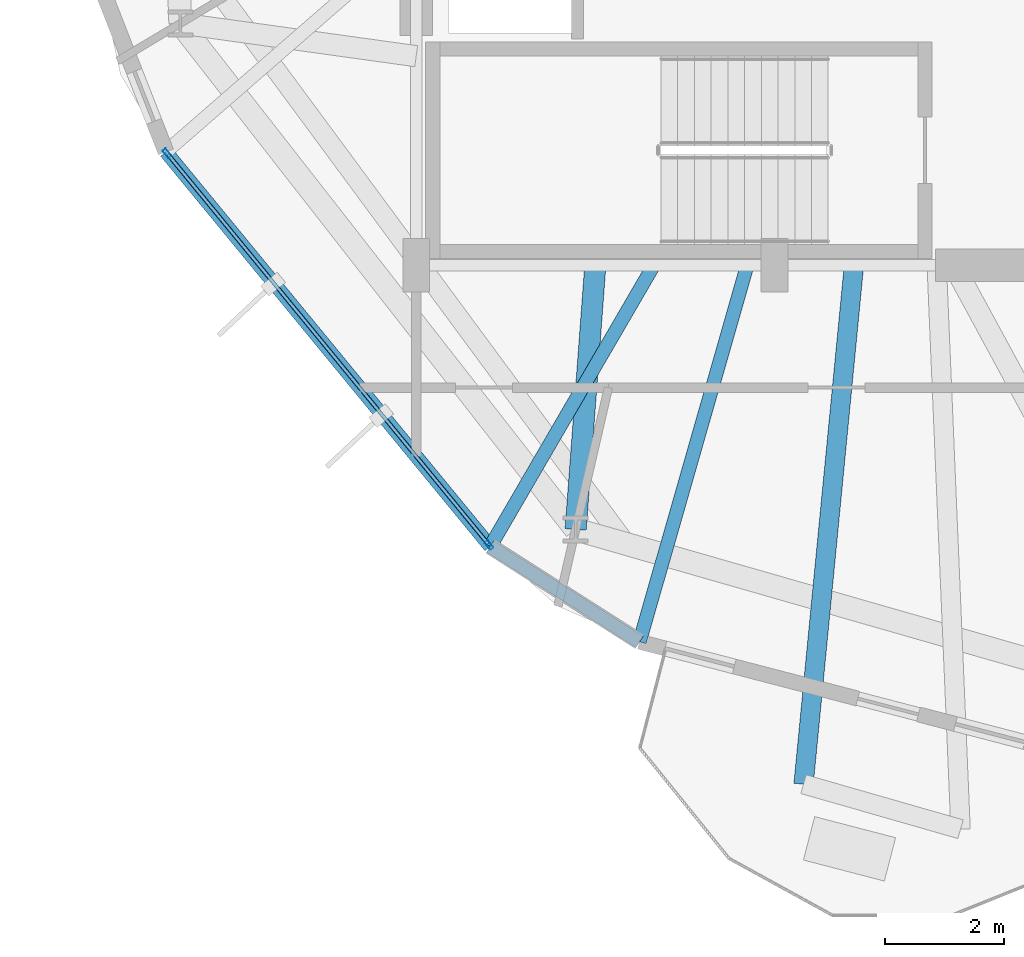
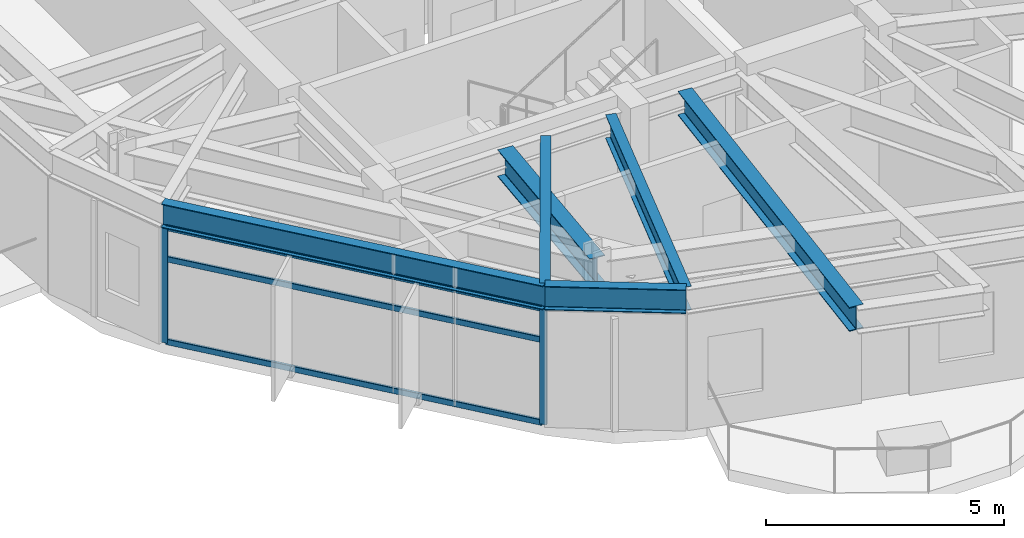
# One storey, part 2 of 22: 6 beams, 5 members, 1 element without a shape of its own.
"""IFC4 building model written with IfcOpenShell, lengths in metres."""

from ifc_helpers import new_model, si_unit, direction, frame, origin, origin_2d, place, context, subcontext, project, spatial, hollow_rectangle, i_section, extrude, material, layer, layer_set, material_profile, profile_set, type_object, element, aggregate, save


model = new_model("IFC4")

# Units and contexts
model_context = context("Model", 3, precision=1e-05, world=origin(), true_north=direction((0.0, 1.0)))
body_context = subcontext(model_context, "Body", "Model", "MODEL_VIEW")
ifc_project = project(units=[si_unit("LENGTHUNIT", "METRE"), si_unit("AREAUNIT", "SQUARE_METRE"), si_unit("VOLUMEUNIT", "CUBIC_METRE"), si_unit("PLANEANGLEUNIT", "RADIAN"), si_unit("MASSUNIT", "GRAM", prefix="KILO")], contexts=[model_context])

# Site, building, storey
site_placement = place(None, origin())
site = spatial("IfcSite", under=ifc_project, at=site_placement, CompositionType="ELEMENT")
building_placement = place(site_placement, origin())
building = spatial("IfcBuilding", under=site, at=building_placement, Name="Soratama Intermodal Tower", CompositionType="ELEMENT")
storey_placement = place(building_placement, frame((0.0, 0.0, 110.800048828125)))
storey = spatial("IfcBuildingStorey", under=building, at=storey_placement, Name="L26", CompositionType="ELEMENT", Elevation=110.800048828125)

# Beams
ifc_material_1 = material(Name="Structural steel ASTM A992 Grade 50", Category="steel")
ifc_material_profile_1 = material_profile(ifc_material_1, i_section(OverallWidth=0.324951171875, OverallDepth=0.615966796875, WebThickness=0.013916015625, FlangeThickness=0.021484375, FilletRadius=0.013916015625, at=origin_2d()), Name="W24X117")
ifc_profile_set_1 = profile_set([ifc_material_profile_1], Name="Structural steel ASTM A992 Grade 50")
beam_type_1 = type_object("IfcBeamType", Name="BM-CANT-W24X117", PredefinedType="BEAM", material=ifc_profile_set_1)
beam_1_placement = place(storey_placement, frame((39.927978515625, 14.9599609375, 3.2919921875), z_axis=(-0.096766747006, -0.995307086619, 0.0), x_axis=(0.995307086619, -0.096766747006, 0.0)))
element("IfcBeam", 1, at=beam_1_placement, inside=storey, type_object=beam_type_1, Name="BM-L26-CANT-3-1", PredefinedType="BEAM", context=body_context, shape_type="SweptSolid", body=[
    extrude(i_section(OverallWidth=0.324951171875, OverallDepth=0.615966796875, WebThickness=0.013916015625, FlangeThickness=0.021484375, FilletRadius=0.013916015625, at=origin_2d()), origin(), (0.0, 0.0, 1.0), 8.691650390625),
])
ifc_material_2 = material(Name="Structural steel ASTM A992 Grade 50", Category="steel")
ifc_material_profile_2 = material_profile(ifc_material_2, i_section(OverallWidth=0.35498046875, OverallDepth=0.695068359375, WebThickness=0.015380859375, FlangeThickness=0.02490234375, FilletRadius=0.01611328125, at=origin_2d()), Name="W27X146")
ifc_profile_set_2 = profile_set([ifc_material_profile_2], Name="Structural steel ASTM A992 Grade 50")
beam_type_2 = type_object("IfcBeamType", Name="BM-RING-W27X146", PredefinedType="BEAM", material=ifc_profile_set_2)
beam_2_placement = place(storey_placement, frame((35.60009765625, 15.0, 3.25244140625), z_axis=(-0.074386442563, -0.997229490721, 0.0), x_axis=(0.997229490721, -0.074386442563, 0.0)))
element("IfcBeam", 2, at=beam_2_placement, inside=storey, type_object=beam_type_2, Name="BM-L26-RAD-07", PredefinedType="BEAM", context=body_context, shape_type="SweptSolid", body=[
    extrude(i_section(OverallWidth=0.35498046875, OverallDepth=0.695068359375, WebThickness=0.015380859375, FlangeThickness=0.02490234375, FilletRadius=0.01611328125, at=origin_2d()), origin(), (0.0, 0.0, 1.0), 4.437255859375),
])
ifc_material_3 = material(Name="Structural steel ASTM A992 Grade 50", Category="steel")
ifc_material_profile_3 = material_profile(ifc_material_3, i_section(OverallWidth=0.22900390625, OverallDepth=0.612060546875, WebThickness=0.011962890625, FlangeThickness=0.01953125, FilletRadius=0.012939453125, at=origin_2d()), Name="W24X84")
ifc_profile_set_3 = profile_set([ifc_material_profile_3], Name="Structural steel ASTM A992 Grade 50")
beam_type_3 = type_object("IfcBeamType", Name="BM-SPN-W24X84", PredefinedType="SPANDREL", material=ifc_profile_set_3)
beam_3_placement = place(storey_placement, frame((28.407958984375, 16.89794921875, 3.2939453125), z_axis=(0.635032741365, -0.772485221473, 0.0), x_axis=(0.772485221473, 0.635032741365, 0.0)))
element("IfcBeam", 3, at=beam_3_placement, inside=storey, type_object=beam_type_3, Name="BS-L26-F06", PredefinedType="SPANDREL", context=body_context, shape_type="SweptSolid", body=[
    extrude(i_section(OverallWidth=0.22900390625, OverallDepth=0.612060546875, WebThickness=0.011962890625, FlangeThickness=0.01953125, FilletRadius=0.012939453125, at=origin_2d()), origin(), (0.0, 0.0, 1.0), 8.55419921875),
])
beam_4_placement = place(storey_placement, frame((33.840087890625, 10.2900390625, 3.2939453125), z_axis=(0.842741893279, -0.538317844134, 0.0), x_axis=(0.538317844134, 0.842741893279, 0.0)))
element("IfcBeam", 4, at=beam_4_placement, inside=storey, type_object=beam_type_3, Name="BS-L26-CRN06", PredefinedType="SPANDREL", context=body_context, shape_type="SweptSolid", body=[
    extrude(i_section(OverallWidth=0.22900390625, OverallDepth=0.612060546875, WebThickness=0.011962890625, FlangeThickness=0.01953125, FilletRadius=0.012939453125, at=origin_2d()), origin(), (0.0, 0.0, 1.0), 2.966552734375),
])
ifc_material_4 = material(Name="Structural steel ASTM A992 Grade 50", Category="steel")
ifc_material_profile_4 = material_profile(ifc_material_4, i_section(OverallWidth=0.22900390625, OverallDepth=0.612060546875, WebThickness=0.011962890625, FlangeThickness=0.01953125, FilletRadius=0.012939453125, at=origin_2d()), Name="W24X84")
ifc_profile_set_4 = profile_set([ifc_material_profile_4], Name="Structural steel ASTM A992 Grade 50")
beam_type_4 = type_object("IfcBeamType", Name="BM-TIE-W24X84", PredefinedType="BEAM", material=ifc_profile_set_4)
beam_5_placement = place(storey_placement, frame((36.55908203125, 14.965087890625, 3.2939453125), z_axis=(-0.502750696745, -0.864431452992, 0.0), x_axis=(0.864431452992, -0.502750696745, 0.0)))
element("IfcBeam", 5, at=beam_5_placement, inside=storey, type_object=beam_type_4, Name="BM-L26-TIE1-06", PredefinedType="BEAM", context=body_context, shape_type="SweptSolid", body=[
    extrude(i_section(OverallWidth=0.22900390625, OverallDepth=0.612060546875, WebThickness=0.011962890625, FlangeThickness=0.01953125, FilletRadius=0.012939453125, at=origin_2d()), origin(), (0.0, 0.0, 1.0), 5.408203125),
])
beam_6_placement = place(storey_placement, frame((38.134033203125, 14.9619140625, 3.2939453125), z_axis=(-0.275126611511, -0.961408002691, 0.0), x_axis=(0.961408002691, -0.275126611511, 0.0)))
element("IfcBeam", 6, at=beam_6_placement, inside=storey, type_object=beam_type_4, Name="BM-L26-TIE0-07", PredefinedType="BEAM", context=body_context, shape_type="SweptSolid", body=[
    extrude(i_section(OverallWidth=0.22900390625, OverallDepth=0.612060546875, WebThickness=0.011962890625, FlangeThickness=0.01953125, FilletRadius=0.012939453125, at=origin_2d()), origin(), (0.0, 0.0, 1.0), 6.5205078125),
])

# Curtain wall, members
ifc_material_5 = material(Name="Double-glazed aluminium curtain wall", Category="aluminium")
ifc_layer = layer(ifc_material_5, 0.159912109375)
ifc_layer_set = layer_set([ifc_layer], Name="Double-glazed aluminium curtain wall")
curtain_wall_type = type_object("IfcCurtainWallType", Name="CW-SYS-3", PredefinedType="NOTDEFINED", material=ifc_layer_set)
curtain_wall_placement = place(storey_placement, origin())
curtain_wall = element("IfcCurtainWall", 7, at=curtain_wall_placement, inside=storey, type_object=curtain_wall_type, Name="L26 Faceted Curtain Wall F06", PredefinedType="NOTDEFINED")
ifc_material_6 = material(Name="Anodised aluminium AA 6063-T6", Category="aluminium")
ifc_material_profile_5 = material_profile(ifc_material_6, hollow_rectangle(XDim=0.070068359375, YDim=0.159912109375, WallThickness=0.0048828125, InnerFilletRadius=0.0048828125, OuterFilletRadius=0.010009765625, at=origin_2d()), Name="CWM160X70X5")
ifc_profile_set_5 = profile_set([ifc_material_profile_5], Name="Anodised aluminium AA 6063-T6")
member_type_1 = type_object("IfcMemberType", Name="MT-CWM-3", PredefinedType="MULLION", material=ifc_profile_set_5)
member_1_placement = place(storey_placement, frame((28.427490234375, 16.87451171875, 0.0), z_axis=(0.0, 0.0, 1.0), x_axis=(0.77251342291, 0.634998434191, 0.0)))
member_1 = element("IfcMember", 8, at=member_1_placement, type_object=member_type_1, Name="CW-3 mullion 1", PredefinedType="MULLION", context=body_context, shape_type="SweptSolid", body=[
    extrude(hollow_rectangle(XDim=0.070068359375, YDim=0.159912109375, WallThickness=0.0048828125, InnerFilletRadius=0.0048828125, OuterFilletRadius=0.010009765625, at=origin_2d()), origin(), (0.0, 0.0, 1.0), 2.97900390625),
])
member_2_placement = place(storey_placement, frame((33.820556640625, 10.3134765625, 0.0), z_axis=(0.0, 0.0, 1.0), x_axis=(0.77251342291, 0.634998434191, 0.0)))
member_2 = element("IfcMember", 9, at=member_2_placement, type_object=member_type_1, Name="CW-3 mullion 2", PredefinedType="MULLION", context=body_context, shape_type="SweptSolid", body=[
    extrude(hollow_rectangle(XDim=0.070068359375, YDim=0.159912109375, WallThickness=0.0048828125, InnerFilletRadius=0.0048828125, OuterFilletRadius=0.010009765625, at=origin_2d()), origin(), (0.0, 0.0, 1.0), 2.97900390625),
])
ifc_material_7 = material(Name="Anodised aluminium AA 6063-T6", Category="aluminium")
ifc_material_profile_6 = material_profile(ifc_material_7, hollow_rectangle(XDim=0.06494140625, YDim=0.14990234375, WallThickness=0.0048828125, InnerFilletRadius=0.0048828125, OuterFilletRadius=0.010009765625, at=origin_2d()), Name="CWT150X65X5")
ifc_profile_set_6 = profile_set([ifc_material_profile_6], Name="Anodised aluminium AA 6063-T6")
member_type_2 = type_object("IfcMemberType", Name="TT-CWT-1", PredefinedType="USERDEFINED", material=ifc_profile_set_6)
member_3_placement = place(storey_placement, frame((28.446533203125, 16.8515625, 0.030029296875), z_axis=(0.634984483404, -0.772524890108, 0.0), x_axis=(0.772524890108, 0.634984483404, 0.0)))
member_3 = element("IfcMember", 10, at=member_3_placement, type_object=member_type_2, Name="CW-3 transom 1.1", ObjectType="TRANSOM", PredefinedType="USERDEFINED", context=body_context, shape_type="SweptSolid", body=[
    extrude(hollow_rectangle(XDim=0.06494140625, YDim=0.14990234375, WallThickness=0.0048828125, InnerFilletRadius=0.0048828125, OuterFilletRadius=0.010009765625, at=origin_2d()), origin(), (0.0, 0.0, 1.0), 8.433349609375),
])
member_4_placement = place(storey_placement, frame((28.446533203125, 16.8515625, 2.14990234375), z_axis=(0.634984483404, -0.772524890108, 0.0), x_axis=(0.772524890108, 0.634984483404, 0.0)))
member_4 = element("IfcMember", 11, at=member_4_placement, type_object=member_type_2, Name="CW-3 transom 1.2", ObjectType="TRANSOM", PredefinedType="USERDEFINED", context=body_context, shape_type="SweptSolid", body=[
    extrude(hollow_rectangle(XDim=0.06494140625, YDim=0.14990234375, WallThickness=0.0048828125, InnerFilletRadius=0.0048828125, OuterFilletRadius=0.010009765625, at=origin_2d()), origin(), (0.0, 0.0, 1.0), 8.433349609375),
])
member_5_placement = place(storey_placement, frame((28.446533203125, 16.8515625, 2.948974609375), z_axis=(0.634984483404, -0.772524890108, 0.0), x_axis=(0.772524890108, 0.634984483404, 0.0)))
member_5 = element("IfcMember", 12, at=member_5_placement, type_object=member_type_2, Name="CW-3 transom 1.3", ObjectType="TRANSOM", PredefinedType="USERDEFINED", context=body_context, shape_type="SweptSolid", body=[
    extrude(hollow_rectangle(XDim=0.06494140625, YDim=0.14990234375, WallThickness=0.0048828125, InnerFilletRadius=0.0048828125, OuterFilletRadius=0.010009765625, at=origin_2d()), origin(), (0.0, 0.0, 1.0), 8.433349609375),
])
aggregate(curtain_wall, [member_1, member_2, member_3, member_4, member_5])

save(model, "model.ifc")
